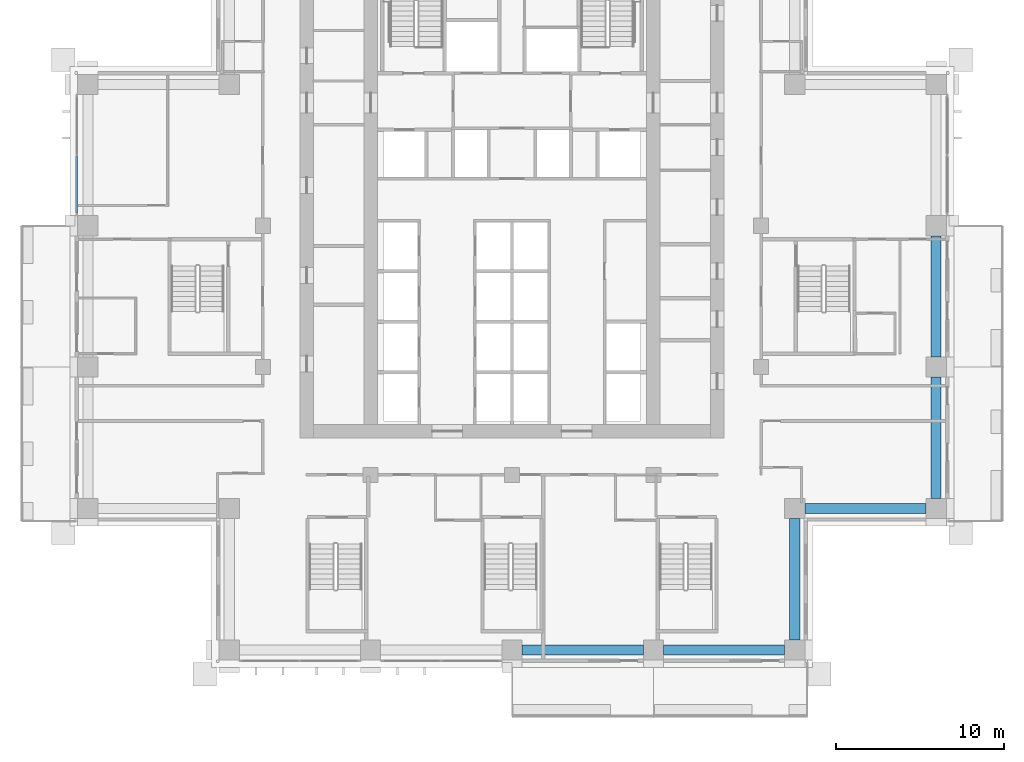
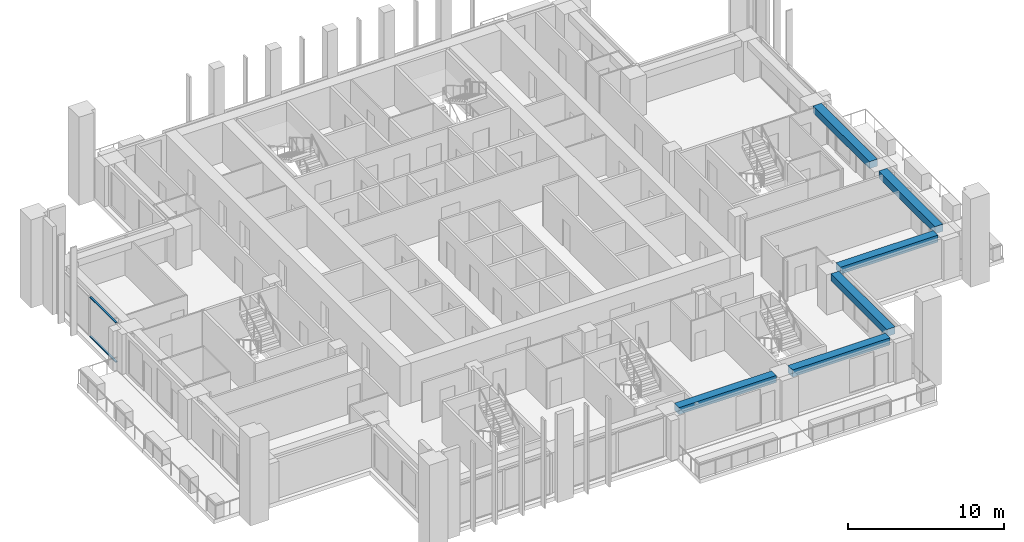
# One storey, part 3 of 19: 6 beams, 2 members, 1 element without a shape of its own.
"""IFC4 building model written with IfcOpenShell, lengths in metres."""

from ifc_helpers import new_model, si_unit, direction, frame, origin, origin_2d, place, context, subcontext, project, spatial, rectangle, extrude, material, material_profile, profile_set, type_object, element, aggregate, save


model = new_model("IFC4")

# Units and contexts
model_context = context("Model", 3, precision=1e-05, world=origin(), true_north=direction((0.0, 1.0)))
body_context = subcontext(model_context, "Body", "Model", "MODEL_VIEW")
ifc_project = project(units=[si_unit("LENGTHUNIT", "METRE"), si_unit("AREAUNIT", "SQUARE_METRE"), si_unit("VOLUMEUNIT", "CUBIC_METRE"), si_unit("PLANEANGLEUNIT", "RADIAN"), si_unit("MASSUNIT", "GRAM", prefix="KILO")], contexts=[model_context])

# Site, building, storey
site_placement = place(None, origin())
site = spatial("IfcSite", under=ifc_project, at=site_placement, CompositionType="ELEMENT")
building_placement = place(site_placement, origin())
building = spatial("IfcBuilding", under=site, at=building_placement, Name="Vermilion Ogive Tower", CompositionType="ELEMENT")
storey_placement = place(building_placement, frame((0.0, 0.0, 104.550048828125)))
storey = spatial("IfcBuildingStorey", under=building, at=storey_placement, Name="L26", CompositionType="ELEMENT", Elevation=104.550048828125)

# Curtain wall, members
ifc_material_1 = material(Name="Low-iron laminated glazing in aluminium frame", Category="aluminium")
curtain_wall_type = type_object("IfcCurtainWallType", Name="Curtain wall CW7", PredefinedType="NOTDEFINED", material=ifc_material_1)
curtain_wall_placement = place(storey_placement, origin())
curtain_wall = element("IfcCurtainWall", 1, at=curtain_wall_placement, inside=storey, type_object=curtain_wall_type, Name="Glazed skin W1", PredefinedType="NOTDEFINED")
ifc_material_2 = material(Name="Aluminium transom", Category="aluminium")
ifc_material_profile_1 = material_profile(ifc_material_2, rectangle(XDim=0.139892578125, YDim=0.06005859375, at=origin_2d()), Name="AL 60x140")
ifc_profile_set_1 = profile_set([ifc_material_profile_1], Name="Aluminium transom")
member_type = type_object("IfcMemberType", Name="CW7 transom 60x140", PredefinedType="USERDEFINED", material=ifc_profile_set_1)
member_1_placement = place(storey_placement, frame((-25.85009765625, 8.31005859375, 0.030029296875), z_axis=(0.0, -1.0, 0.0), x_axis=(1.0, 0.0, 0.0)))
member_1 = element("IfcMember", 2, at=member_1_placement, type_object=member_type, Name="CW7-W1 transom 2.1", ObjectType="TRANSOM", PredefinedType="USERDEFINED", context=body_context, shape_type="SweptSolid", body=[
    extrude(rectangle(XDim=0.139892578125, YDim=0.06005859375, at=origin_2d()), origin(), (0.0, 0.0, 1.0), 3.330078125),
])
member_2_placement = place(storey_placement, frame((-25.85009765625, 8.31005859375, 3.099853515625), z_axis=(0.0, -1.0, 0.0), x_axis=(1.0, 0.0, 0.0)))
member_2 = element("IfcMember", 3, at=member_2_placement, type_object=member_type, Name="CW7-W1 transom 2.2", ObjectType="TRANSOM", PredefinedType="USERDEFINED", context=body_context, shape_type="SweptSolid", body=[
    extrude(rectangle(XDim=0.139892578125, YDim=0.06005859375, at=origin_2d()), origin(), (0.0, 0.0, 1.0), 3.330078125),
])
aggregate(curtain_wall, [member_1, member_2])

# Beams
ifc_material_3 = material(Name="Concrete B45", Category="concrete")
ifc_material_profile_2 = material_profile(ifc_material_3, rectangle(XDim=0.60009765625, YDim=0.550048828125, at=origin_2d()), Name="600 x 550")
ifc_profile_set_2 = profile_set([ifc_material_profile_2], Name="Concrete B45")
beam_type = type_object("IfcBeamType", Name="Edge beam 600 x 550 B45", PredefinedType="BEAM", material=ifc_profile_set_2)
for number, where, z_axis, x_axis, name in (
    (4, (0.60009765625, -21.0, 2.85498046875), (1.0, 0.0, 0.0), (0.0, 1.0, 0.0), "L26-EB-3"),
    (5, (9.0, -21.0, 2.85498046875), (1.0, 0.0, 0.0), (0.0, 1.0, 0.0), "L26-EB-4"),
    (6, (16.800048828125, -20.39990234375, 2.85498046875), (0.0, 1.0, 0.0), (-1.0, 0.0, 0.0), "L26-EB-5"),
):
    element("IfcBeam", number, at=place(storey_placement, frame(where, z_axis=z_axis, x_axis=x_axis)), inside=storey, type_object=beam_type, Name=name, PredefinedType="BEAM", context=body_context, shape_type="SweptSolid", body=[
        extrude(rectangle(XDim=0.60009765625, YDim=0.550048828125, at=origin_2d()), origin(), (0.0, 0.0, 1.0), 7.199951171875),
    ])
beam_1_placement = place(storey_placement, frame((17.39990234375, -12.60009765625, 2.85498046875), z_axis=(1.0, 0.0, 0.0), x_axis=(0.0, 1.0, 0.0)))
element("IfcBeam", 7, at=beam_1_placement, inside=storey, type_object=beam_type, Name="L26-EB-6", PredefinedType="BEAM", context=body_context, shape_type="SweptSolid", body=[
    extrude(rectangle(XDim=0.60009765625, YDim=0.550048828125, at=origin_2d()), origin(), (0.0, 0.0, 1.0), 7.2001953125),
])
beam_2_placement = place(storey_placement, frame((25.199951171875, -12.0, 2.85498046875), z_axis=(0.0, 1.0, 0.0), x_axis=(-1.0, 0.0, 0.0)))
element("IfcBeam", 8, at=beam_2_placement, inside=storey, type_object=beam_type, Name="L26-EB-7", PredefinedType="BEAM", context=body_context, shape_type="SweptSolid", body=[
    extrude(rectangle(XDim=0.60009765625, YDim=0.550048828125, at=origin_2d()), origin(), (0.0, 0.0, 1.0), 7.199951171875),
])
beam_3_placement = place(storey_placement, frame((25.199951171875, -3.60009765625, 2.85498046875), z_axis=(0.0, 1.0, 0.0), x_axis=(-1.0, 0.0, 0.0)))
element("IfcBeam", 9, at=beam_3_placement, inside=storey, type_object=beam_type, Name="L26-EB-8", PredefinedType="BEAM", context=body_context, shape_type="SweptSolid", body=[
    extrude(rectangle(XDim=0.60009765625, YDim=0.550048828125, at=origin_2d()), origin(), (0.0, 0.0, 1.0), 7.2001953125),
])

save(model, "model.ifc")
